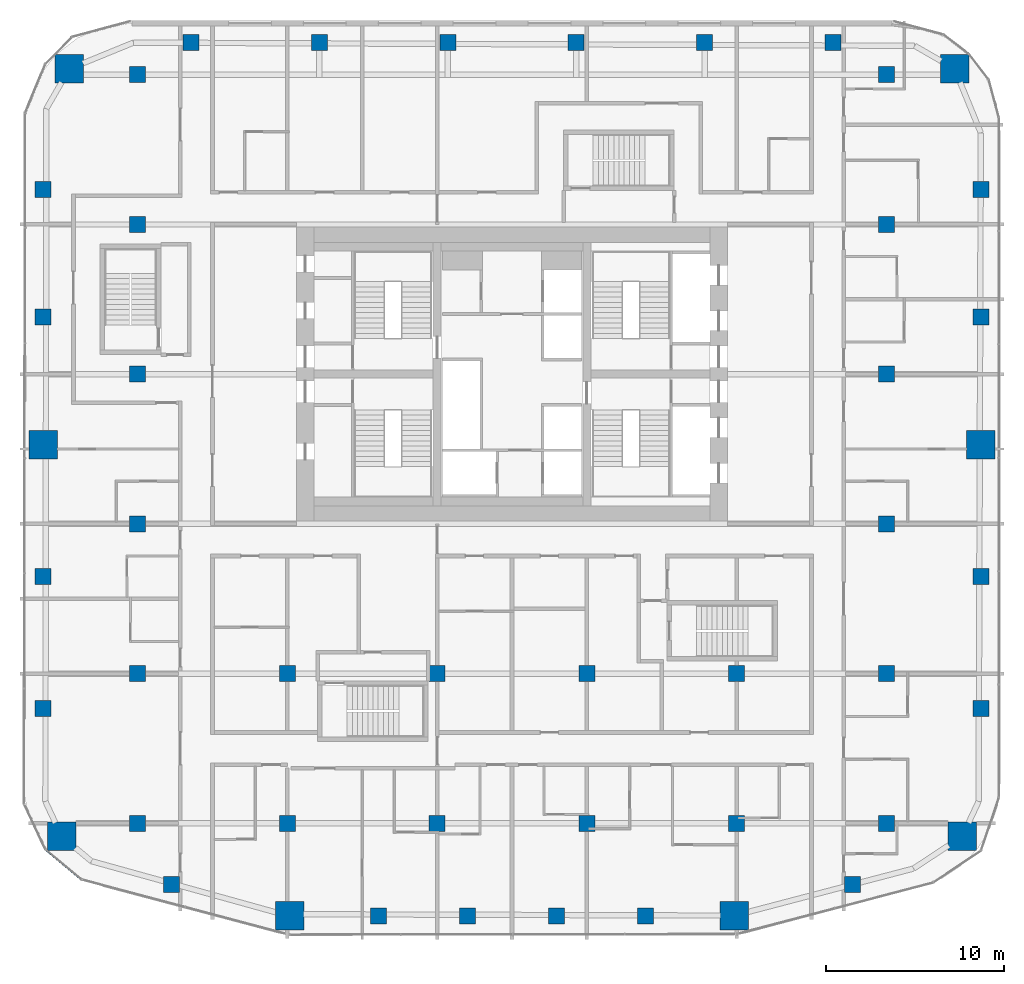
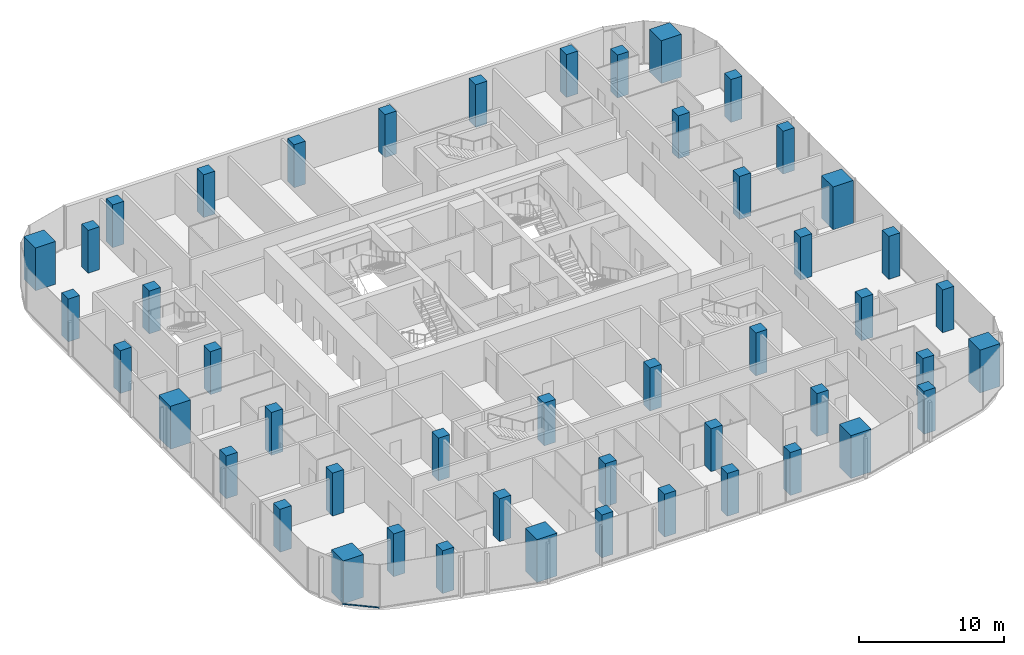
# One storey, part 1 of 23: 48 columns, 1 member, 1 element without a shape of its own.
"""IFC4 building model written with IfcOpenShell, lengths in metres."""

from ifc_helpers import new_model, si_unit, direction, frame, origin, origin_2d, place, context, subcontext, project, spatial, rectangle, extrude, material, layer, layer_set, material_profile, profile_set, type_object, element, aggregate, save


model = new_model("IFC4")

# Units and contexts
model_context = context("Model", 3, precision=1e-05, world=origin(), true_north=direction((0.0, 1.0)))
body_context = subcontext(model_context, "Body", "Model", "MODEL_VIEW")
ifc_project = project(units=[si_unit("LENGTHUNIT", "METRE"), si_unit("AREAUNIT", "SQUARE_METRE"), si_unit("VOLUMEUNIT", "CUBIC_METRE"), si_unit("PLANEANGLEUNIT", "RADIAN"), si_unit("MASSUNIT", "GRAM", prefix="KILO")], contexts=[model_context])

# Site, building, storey
site_placement = place(None, origin())
site = spatial("IfcSite", under=ifc_project, at=site_placement, CompositionType="ELEMENT")
building_placement = place(site_placement, origin())
building = spatial("IfcBuilding", under=site, at=building_placement, Name="Marenta Gate Hotel Tower", CompositionType="ELEMENT")
storey_placement = place(building_placement, frame((0.0, 0.0, 162.5)))
storey = spatial("IfcBuildingStorey", under=building, at=storey_placement, Name="L38", CompositionType="ELEMENT", Elevation=162.5)

# Columns
ifc_material_1 = material(Name="Concrete C70", Category="concrete")
ifc_material_profile_1 = material_profile(ifc_material_1, rectangle(XDim=0.89990234375, YDim=0.89990234375, at=origin_2d()), Name="900 x 900")
ifc_profile_set_1 = profile_set([ifc_material_profile_1], Name="Concrete C70")
column_type_1 = type_object("IfcColumnType", Name="Edge column 900 x 900 C70", PredefinedType="COLUMN", material=ifc_profile_set_1)
for number, where, z_axis, x_axis, name in (
    (1, (-26.300048828125, -10.351806640625, 0.0), (0.0, 0.0, 1.0), (1.0, 0.0, 0.0), "L38-EC-SW-W-1"),
    (2, (-26.300048828125, -2.950927734375, 0.0), (0.0, 0.0, 1.0), (1.0, 0.0, 0.0), "L38-EC-SW-W-2"),
    (3, (-26.300048828125, 11.603271484375, 0.0), (0.0, 0.0, 1.0), (1.0, 0.0, 0.0), "L38-EC-W-NW-1"),
    (4, (-26.300048828125, 18.75634765625, 0.0), (0.0, 0.0, 1.0), (1.0, 0.0, 0.0), "L38-EC-W-NW-2"),
    (5, (-18.0068359375, 27.0, 0.0), (0.0, 0.0, 1.0), (1.0, 0.0, 0.0), "L38-EC-NW-NE-1"),
    (6, (-10.80419921875, 27.0, 0.0), (0.0, 0.0, 1.0), (1.0, 0.0, 0.0), "L38-EC-NW-NE-2"),
    (7, (-3.601318359375, 27.0, 0.0), (0.0, 0.0, 1.0), (1.0, 0.0, 0.0), "L38-EC-NW-NE-3"),
    (8, (3.601318359375, 27.0, 0.0), (0.0, 0.0, 1.0), (1.0, 0.0, 0.0), "L38-EC-NW-NE-4"),
    (9, (10.80419921875, 27.0, 0.0), (0.0, 0.0, 1.0), (1.0, 0.0, 0.0), "L38-EC-NW-NE-5"),
    (10, (18.0068359375, 27.0, 0.0), (0.0, 0.0, 1.0), (1.0, 0.0, 0.0), "L38-EC-NW-NE-6"),
    (11, (26.300048828125, 18.75634765625, 0.0), (0.0, 0.0, 1.0), (1.0, 0.0, 0.0), "L38-EC-NE-E-1"),
    (12, (26.300048828125, 11.603271484375, 0.0), (0.0, 0.0, 1.0), (1.0, 0.0, 0.0), "L38-EC-NE-E-2"),
    (13, (26.300048828125, -2.950927734375, 0.0), (0.0, 0.0, 1.0), (1.0, 0.0, 0.0), "L38-EC-E-SE-1"),
    (14, (26.300048828125, -10.351806640625, 0.0), (0.0, 0.0, 1.0), (1.0, 0.0, 0.0), "L38-EC-E-SE-2"),
    (15, (19.106689453125, -20.239013671875, 0.0), (0.0, 0.0, 1.0), (1.0, 0.0, 0.0), "L38-EC-SE-SKE-1"),
    (16, (7.47998046875, -22.0, 0.0), (0.0, 0.0, 1.0), (1.0, 0.0, 0.0), "L38-EC-SKE-SKW-1"),
    (17, (2.493408203125, -22.0, 0.0), (0.0, 0.0, 1.0), (1.0, 0.0, 0.0), "L38-EC-SKE-SKW-2"),
    (18, (-2.493408203125, -22.0, 0.0), (0.0, 0.0, 1.0), (1.0, 0.0, 0.0), "L38-EC-SKE-SKW-3"),
    (19, (-7.47998046875, -22.0, 0.0), (0.0, 0.0, 1.0), (1.0, 0.0, 0.0), "L38-EC-SKE-SKW-4"),
    (20, (-19.106689453125, -20.239013671875, 0.0), (0.0, 0.0, 1.0), (1.0, 0.0, 0.0), "L38-EC-SKW-SW-1"),
):
    element("IfcColumn", number, at=place(storey_placement, frame(where, z_axis=z_axis, x_axis=x_axis)), inside=storey, type_object=column_type_1, Name=name, PredefinedType="COLUMN", context=body_context, shape_type="SweptSolid", body=[
        extrude(rectangle(XDim=0.89990234375, YDim=0.89990234375, at=origin_2d()), origin(), (0.0, 0.0, 1.0), 3.60009765625),
    ])
ifc_material_2 = material(Name="Concrete C70", Category="concrete")
ifc_material_profile_2 = material_profile(ifc_material_2, rectangle(XDim=0.89990234375, YDim=0.89990234375, at=origin_2d()), Name="900 x 900")
ifc_profile_set_2 = profile_set([ifc_material_profile_2], Name="Concrete C70")
column_type_2 = type_object("IfcColumnType", Name="Interior column 900 x 900 C70", PredefinedType="COLUMN", material=ifc_profile_set_2)
for number, where, z_axis, x_axis, name in (
    (21, (-21.0, -16.800048828125, 0.0), (0.0, 0.0, 1.0), (1.0, 0.0, 0.0), "L38-IC-4D"),
    (22, (-21.0, -8.39990234375, 0.0), (0.0, 0.0, 1.0), (1.0, 0.0, 0.0), "L38-IC-4E"),
    (23, (-21.0, 0.0, 0.0), (0.0, 0.0, 1.0), (1.0, 0.0, 0.0), "L38-IC-4F"),
    (24, (-21.0, 8.39990234375, 0.0), (0.0, 0.0, 1.0), (1.0, 0.0, 0.0), "L38-IC-4G"),
    (25, (-21.0, 16.800048828125, 0.0), (0.0, 0.0, 1.0), (1.0, 0.0, 0.0), "L38-IC-4H"),
    (26, (-21.0, 25.199951171875, 0.0), (0.0, 0.0, 1.0), (1.0, 0.0, 0.0), "L38-IC-4I"),
    (27, (-12.60009765625, -16.800048828125, 0.0), (0.0, 0.0, 1.0), (1.0, 0.0, 0.0), "L38-IC-5D"),
    (28, (-12.60009765625, -8.39990234375, 0.0), (0.0, 0.0, 1.0), (1.0, 0.0, 0.0), "L38-IC-5E"),
    (29, (-4.199951171875, -16.800048828125, 0.0), (0.0, 0.0, 1.0), (1.0, 0.0, 0.0), "L38-IC-6D"),
    (30, (-4.199951171875, -8.39990234375, 0.0), (0.0, 0.0, 1.0), (1.0, 0.0, 0.0), "L38-IC-6E"),
    (31, (4.199951171875, -16.800048828125, 0.0), (0.0, 0.0, 1.0), (1.0, 0.0, 0.0), "L38-IC-7D"),
    (32, (4.199951171875, -8.39990234375, 0.0), (0.0, 0.0, 1.0), (1.0, 0.0, 0.0), "L38-IC-7E"),
    (33, (12.60009765625, -16.800048828125, 0.0), (0.0, 0.0, 1.0), (1.0, 0.0, 0.0), "L38-IC-8D"),
    (34, (12.60009765625, -8.39990234375, 0.0), (0.0, 0.0, 1.0), (1.0, 0.0, 0.0), "L38-IC-8E"),
    (35, (21.0, -16.800048828125, 0.0), (0.0, 0.0, 1.0), (1.0, 0.0, 0.0), "L38-IC-9D"),
    (36, (21.0, -8.39990234375, 0.0), (0.0, 0.0, 1.0), (1.0, 0.0, 0.0), "L38-IC-9E"),
    (37, (21.0, 0.0, 0.0), (0.0, 0.0, 1.0), (1.0, 0.0, 0.0), "L38-IC-9F"),
    (38, (21.0, 8.39990234375, 0.0), (0.0, 0.0, 1.0), (1.0, 0.0, 0.0), "L38-IC-9G"),
    (39, (21.0, 16.800048828125, 0.0), (0.0, 0.0, 1.0), (1.0, 0.0, 0.0), "L38-IC-9H"),
    (40, (21.0, 25.199951171875, 0.0), (0.0, 0.0, 1.0), (1.0, 0.0, 0.0), "L38-IC-9I"),
):
    element("IfcColumn", number, at=place(storey_placement, frame(where, z_axis=z_axis, x_axis=x_axis)), inside=storey, type_object=column_type_2, Name=name, PredefinedType="COLUMN", context=body_context, shape_type="SweptSolid", body=[
        extrude(rectangle(XDim=0.89990234375, YDim=0.89990234375, at=origin_2d()), origin(), (0.0, 0.0, 1.0), 3.60009765625),
    ])
ifc_material_3 = material(Name="Concrete C70", Category="concrete")
ifc_material_profile_3 = material_profile(ifc_material_3, rectangle(XDim=1.60009765625, YDim=1.60009765625, at=origin_2d()), Name="1600 x 1600")
ifc_profile_set_3 = profile_set([ifc_material_profile_3], Name="Concrete C70")
column_type_3 = type_object("IfcColumnType", Name="Mega column 1600 x 1600 C70", PredefinedType="COLUMN", material=ifc_profile_set_3)
for number, where, z_axis, x_axis, name in (
    (41, (-25.262939453125, -17.532958984375, 0.0), (0.0, 0.0, 1.0), (1.0, 0.0, 0.0), "L38-MC-SW"),
    (42, (-12.46630859375, -21.974853515625, 0.0), (0.0, 0.0, 1.0), (1.0, 0.0, 0.0), "L38-MC-SKW"),
    (43, (12.46630859375, -21.974853515625, 0.0), (0.0, 0.0, 1.0), (1.0, 0.0, 0.0), "L38-MC-SKE"),
    (44, (25.262939453125, -17.532958984375, 0.0), (0.0, 0.0, 1.0), (1.0, 0.0, 0.0), "L38-MC-SE"),
    (45, (26.300048828125, 4.449951171875, 0.0), (0.0, 0.0, 1.0), (1.0, 0.0, 0.0), "L38-MC-E"),
    (46, (24.83544921875, 25.535400390625, 0.0), (0.0, 0.0, 1.0), (1.0, 0.0, 0.0), "L38-MC-NE"),
    (47, (-24.83544921875, 25.535400390625, 0.0), (0.0, 0.0, 1.0), (1.0, 0.0, 0.0), "L38-MC-NW"),
    (48, (-26.300048828125, 4.449951171875, 0.0), (0.0, 0.0, 1.0), (1.0, 0.0, 0.0), "L38-MC-W"),
):
    element("IfcColumn", number, at=place(storey_placement, frame(where, z_axis=z_axis, x_axis=x_axis)), inside=storey, type_object=column_type_3, Name=name, PredefinedType="COLUMN", context=body_context, shape_type="SweptSolid", body=[
        extrude(rectangle(XDim=1.60009765625, YDim=1.60009765625, at=origin_2d()), origin(), (0.0, 0.0, 1.0), 3.60009765625),
    ])

# Curtain wall, member
ifc_material_4 = material(Name="Tinted insulated glass in bronze anodised frame", Category="glass")
ifc_layer = layer(ifc_material_4, 0.1201171875)
ifc_layer_set = layer_set([ifc_layer], Name="Tinted insulated glass in bronze anodised frame")
curtain_wall_type = type_object("IfcCurtainWallType", Name="Tower unitised curtain wall CW1", PredefinedType="NOTDEFINED", material=ifc_layer_set)
curtain_wall_placement = place(storey_placement, origin())
curtain_wall = element("IfcCurtainWall", 49, at=curtain_wall_placement, inside=storey, type_object=curtain_wall_type, Name="CW1 run G05", PredefinedType="NOTDEFINED")
ifc_material_5 = material(Name="Bronze anodised aluminium", Category="aluminium")
ifc_material_profile_4 = material_profile(ifc_material_5, rectangle(XDim=0.1201171875, YDim=0.06005859375, at=origin_2d()), Name="Transom CW1 60x120 bronze anodised aluminium")
ifc_profile_set_4 = profile_set([ifc_material_profile_4], Name="Bronze anodised aluminium")
member_type = type_object("IfcMemberType", Name="Transom CW1 60x120 bronze anodised aluminium", PredefinedType="USERDEFINED", material=ifc_profile_set_4)
member_placement = place(storey_placement, frame((-26.12890625, -18.296142578125, 0.030029296875), z_axis=(0.767116735682, -0.641507532175, 0.0), x_axis=(0.641507532175, 0.767116735682, 0.0)))
member = element("IfcMember", 50, at=member_placement, type_object=member_type, Name="CW1 transom 1.1", ObjectType="TRANSOM", PredefinedType="USERDEFINED", context=body_context, shape_type="SweptSolid", body=[
    extrude(rectangle(XDim=0.1201171875, YDim=0.06005859375, at=origin_2d()), origin(), (0.0, 0.0, 1.0), 2.575439453125),
])
aggregate(curtain_wall, [member])

save(model, "model.ifc")
